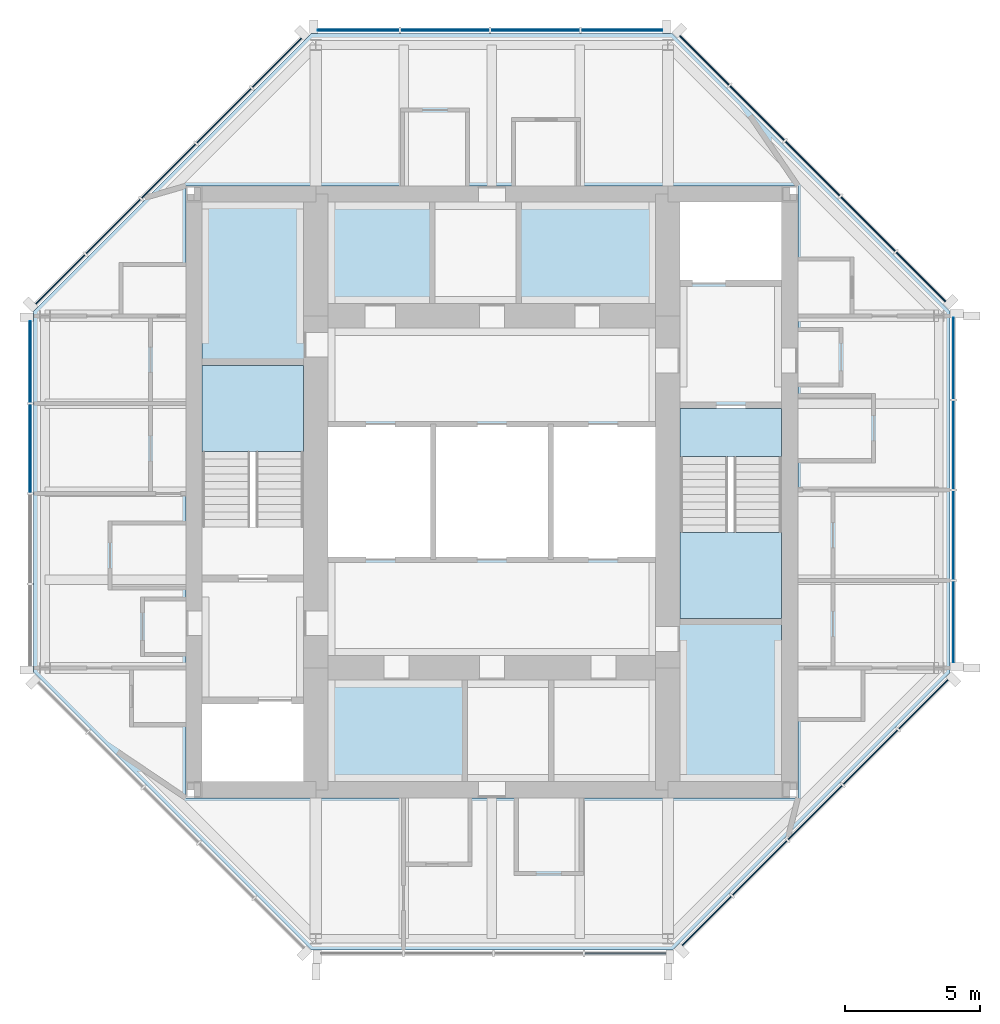
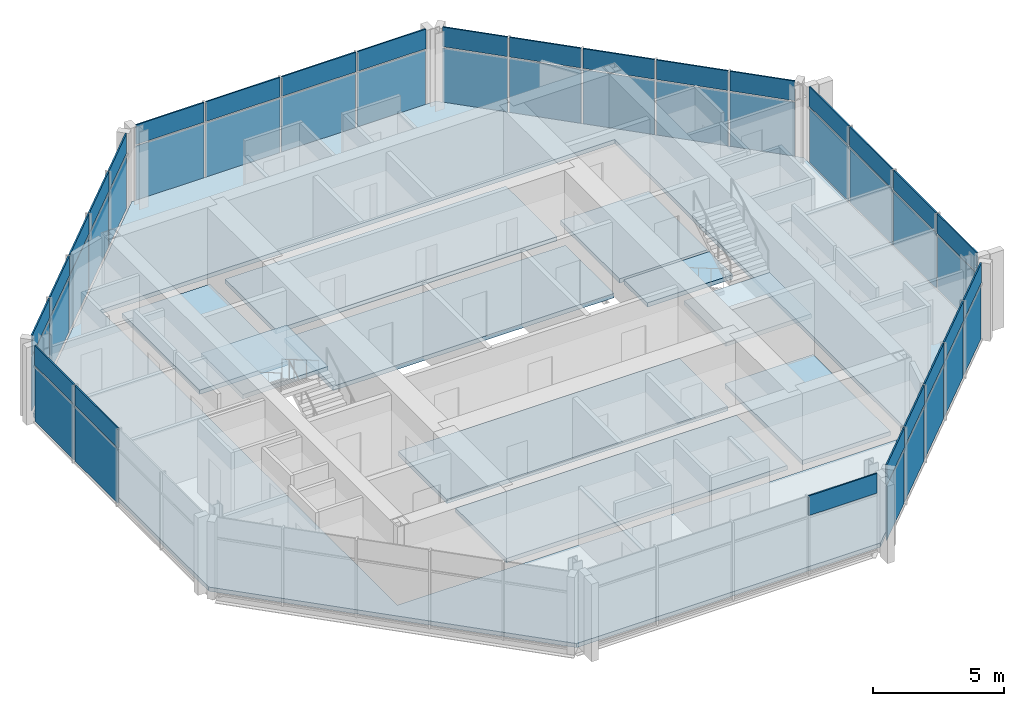
# One storey, part 4 of 9: 51 plates, 11 slabs, 9 elements without a shape of their own.
"""IFC4 building model written with IfcOpenShell, lengths in metres."""

from ifc_helpers import new_model, si_unit, direction, frame, origin, origin_2d, place, context, subcontext, project, spatial, polyline, rectangle, outline, extrude, material, layer, layer_set, type_object, element, aggregate, save


model = new_model("IFC4")

# Units and contexts
model_context = context("Model", 3, precision=1e-05, world=origin(), true_north=direction((0.0, 1.0)))
body_context = subcontext(model_context, "Body", "Model", "MODEL_VIEW")
ifc_project = project(units=[si_unit("LENGTHUNIT", "METRE"), si_unit("AREAUNIT", "SQUARE_METRE"), si_unit("VOLUMEUNIT", "CUBIC_METRE"), si_unit("PLANEANGLEUNIT", "RADIAN"), si_unit("MASSUNIT", "GRAM", prefix="KILO")], contexts=[model_context])

# Site, building, storey
site_placement = place(None, origin())
site = spatial("IfcSite", under=ifc_project, at=site_placement, CompositionType="ELEMENT")
building_placement = place(site_placement, origin())
building = spatial("IfcBuilding", under=site, at=building_placement, Name="Trevanion Tower", CompositionType="ELEMENT")
storey_placement = place(building_placement, frame((0.0, 0.0, 288.39990234375)))
storey = spatial("IfcBuildingStorey", under=building, at=storey_placement, Name="L71", CompositionType="ELEMENT", Elevation=288.39990234375)

# Curtain wall, plates
ifc_material_1 = material(Name="Aluminium and glass", Category="aluminium")
curtain_wall_type = type_object("IfcCurtainWallType", Name="CW4 curtain wall", PredefinedType="USERDEFINED", material=ifc_material_1)
curtain_wall_1_placement = place(storey_placement, origin())
curtain_wall_1 = element("IfcCurtainWall", 1, at=curtain_wall_1_placement, inside=storey, type_object=curtain_wall_type, Name="CW4 L71 0", ObjectType="UNITISED CURTAIN WALL", PredefinedType="USERDEFINED")
ifc_material_2 = material(Name="Aluminium spandrel panel", Category="aluminium")
ifc_layer_1 = layer(ifc_material_2, 0.06005859375)
ifc_layer_set_1 = layer_set([ifc_layer_1], Name="CW4 spandrel panel")
plate_type_1 = type_object("IfcPlateType", Name="CW4 spandrel panel", PredefinedType="CURTAIN_PANEL", material=ifc_layer_set_1)
plate_1_placement = place(storey_placement, frame((17.050048828125, -4.80078125, 2.49755859375), z_axis=(0.0, 0.0, 1.0), x_axis=(0.0, 1.0, 0.0)))
plate_1 = element("IfcPlate", 2, at=plate_1_placement, type_object=plate_type_1, Name="CW4 panel 1.2", PredefinedType="CURTAIN_PANEL", context=body_context, shape_type="SweptSolid", body=[
    extrude(rectangle(XDim=2.993896484375, YDim=0.06005859375, at=origin_2d()), origin(), (0.0, 0.0, 1.0), 0.91259765625),
])
plate_2_placement = place(storey_placement, frame((17.050048828125, -1.6005859375, 2.49755859375), z_axis=(0.0, 0.0, 1.0), x_axis=(0.0, 1.0, 0.0)))
plate_2 = element("IfcPlate", 3, at=plate_2_placement, type_object=plate_type_1, Name="CW4 panel 2.2", PredefinedType="CURTAIN_PANEL", context=body_context, shape_type="SweptSolid", body=[
    extrude(rectangle(XDim=3.25634765625, YDim=0.06005859375, at=origin_2d()), origin(), (0.0, 0.0, 1.0), 0.91259765625),
])
plate_3_placement = place(storey_placement, frame((17.050048828125, 1.730712890625, 2.49755859375), z_axis=(0.0, 0.0, 1.0), x_axis=(0.0, 1.0, 0.0)))
plate_3 = element("IfcPlate", 4, at=plate_3_placement, type_object=plate_type_1, Name="CW4 panel 3.2", PredefinedType="CURTAIN_PANEL", context=body_context, shape_type="SweptSolid", body=[
    extrude(rectangle(XDim=3.25634765625, YDim=0.06005859375, at=origin_2d()), origin(), (0.0, 0.0, 1.0), 0.91259765625),
])
plate_4_placement = place(storey_placement, frame((17.050048828125, 4.930908203125, 2.49755859375), z_axis=(0.0, 0.0, 1.0), x_axis=(0.0, 1.0, 0.0)))
plate_4 = element("IfcPlate", 5, at=plate_4_placement, type_object=plate_type_1, Name="CW4 panel 4.2", PredefinedType="CURTAIN_PANEL", context=body_context, shape_type="SweptSolid", body=[
    extrude(rectangle(XDim=2.993896484375, YDim=0.06005859375, at=origin_2d()), origin(), (0.0, 0.0, 1.0), 0.91259765625),
])

curtain_wall_2_placement = place(storey_placement, origin())
curtain_wall_2 = element("IfcCurtainWall", 6, at=curtain_wall_2_placement, inside=storey, type_object=curtain_wall_type, Name="CW4 L71 1", ObjectType="UNITISED CURTAIN WALL", PredefinedType="USERDEFINED")
plate_5_placement = place(storey_placement, frame((15.84228515625, 7.935546875, 2.49755859375), z_axis=(0.0, 0.0, 1.0), x_axis=(-0.707106781187, 0.707106781187, 0.0)))
plate_5 = element("IfcPlate", 7, at=plate_5_placement, type_object=plate_type_1, Name="CW4 panel 1.2", PredefinedType="CURTAIN_PANEL", context=body_context, shape_type="SweptSolid", body=[
    extrude(rectangle(XDim=2.55615234375, YDim=0.06005859375, at=origin_2d()), origin(), (0.0, 0.0, 1.0), 0.91259765625),
])
plate_6_placement = place(storey_placement, frame((13.888916015625, 9.888916015625, 2.49755859375), z_axis=(0.0, 0.0, 1.0), x_axis=(-0.707106781187, 0.707106781187, 0.0)))
plate_6 = element("IfcPlate", 8, at=plate_6_placement, type_object=plate_type_1, Name="CW4 panel 2.2", PredefinedType="CURTAIN_PANEL", context=body_context, shape_type="SweptSolid", body=[
    extrude(rectangle(XDim=2.818603515625, YDim=0.06005859375, at=origin_2d()), origin(), (0.0, 0.0, 1.0), 0.91259765625),
])
plate_7_placement = place(storey_placement, frame((11.843017578125, 11.934814453125, 2.49755859375), z_axis=(0.0, 0.0, 1.0), x_axis=(-0.707106781187, 0.707106781187, 0.0)))
plate_7 = element("IfcPlate", 9, at=plate_7_placement, type_object=plate_type_1, Name="CW4 panel 3.2", PredefinedType="CURTAIN_PANEL", context=body_context, shape_type="SweptSolid", body=[
    extrude(rectangle(XDim=2.818603515625, YDim=0.06005859375, at=origin_2d()), origin(), (0.0, 0.0, 1.0), 0.91259765625),
])
plate_8_placement = place(storey_placement, frame((9.796875, 13.98095703125, 2.49755859375), z_axis=(0.0, 0.0, 1.0), x_axis=(-0.707106781187, 0.707106781187, 0.0)))
plate_8 = element("IfcPlate", 10, at=plate_8_placement, type_object=plate_type_1, Name="CW4 panel 4.2", PredefinedType="CURTAIN_PANEL", context=body_context, shape_type="SweptSolid", body=[
    extrude(rectangle(XDim=2.818603515625, YDim=0.06005859375, at=origin_2d()), origin(), (0.0, 0.0, 1.0), 0.91259765625),
])
plate_9_placement = place(storey_placement, frame((7.84375, 15.93408203125, 2.49755859375), z_axis=(0.0, 0.0, 1.0), x_axis=(-0.707106781187, 0.707106781187, 0.0)))
plate_9 = element("IfcPlate", 11, at=plate_9_placement, type_object=plate_type_1, Name="CW4 panel 5.2", PredefinedType="CURTAIN_PANEL", context=body_context, shape_type="SweptSolid", body=[
    extrude(rectangle(XDim=2.55615234375, YDim=0.06005859375, at=origin_2d()), origin(), (0.0, 0.0, 1.0), 0.91259765625),
])

curtain_wall_3_placement = place(storey_placement, origin())
curtain_wall_3 = element("IfcCurtainWall", 12, at=curtain_wall_3_placement, inside=storey, type_object=curtain_wall_type, Name="CW4 L71 2", ObjectType="UNITISED CURTAIN WALL", PredefinedType="USERDEFINED")
plate_10_placement = place(storey_placement, frame((4.80078125, 17.050048828125, 2.49755859375), z_axis=(0.0, 0.0, 1.0), x_axis=(-1.0, 0.0, 0.0)))
plate_10 = element("IfcPlate", 13, at=plate_10_placement, type_object=plate_type_1, Name="CW4 panel 1.2", PredefinedType="CURTAIN_PANEL", context=body_context, shape_type="SweptSolid", body=[
    extrude(rectangle(XDim=2.993896484375, YDim=0.06005859375, at=origin_2d()), origin(), (0.0, 0.0, 1.0), 0.91259765625),
])
plate_11_placement = place(storey_placement, frame((1.6005859375, 17.050048828125, 2.49755859375), z_axis=(0.0, 0.0, 1.0), x_axis=(-1.0, 0.0, 0.0)))
plate_11 = element("IfcPlate", 14, at=plate_11_placement, type_object=plate_type_1, Name="CW4 panel 2.2", PredefinedType="CURTAIN_PANEL", context=body_context, shape_type="SweptSolid", body=[
    extrude(rectangle(XDim=3.25634765625, YDim=0.06005859375, at=origin_2d()), origin(), (0.0, 0.0, 1.0), 0.91259765625),
])
plate_12_placement = place(storey_placement, frame((-1.730712890625, 17.050048828125, 2.49755859375), z_axis=(0.0, 0.0, 1.0), x_axis=(-1.0, 0.0, 0.0)))
plate_12 = element("IfcPlate", 15, at=plate_12_placement, type_object=plate_type_1, Name="CW4 panel 3.2", PredefinedType="CURTAIN_PANEL", context=body_context, shape_type="SweptSolid", body=[
    extrude(rectangle(XDim=3.25634765625, YDim=0.06005859375, at=origin_2d()), origin(), (0.0, 0.0, 1.0), 0.91259765625),
])
plate_13_placement = place(storey_placement, frame((-4.930908203125, 17.050048828125, 2.49755859375), z_axis=(0.0, 0.0, 1.0), x_axis=(-1.0, 0.0, 0.0)))
plate_13 = element("IfcPlate", 16, at=plate_13_placement, type_object=plate_type_1, Name="CW4 panel 4.2", PredefinedType="CURTAIN_PANEL", context=body_context, shape_type="SweptSolid", body=[
    extrude(rectangle(XDim=2.993896484375, YDim=0.06005859375, at=origin_2d()), origin(), (0.0, 0.0, 1.0), 0.91259765625),
])

curtain_wall_4_placement = place(storey_placement, origin())
curtain_wall_4 = element("IfcCurtainWall", 17, at=curtain_wall_4_placement, inside=storey, type_object=curtain_wall_type, Name="CW4 L71 3", ObjectType="UNITISED CURTAIN WALL", PredefinedType="USERDEFINED")
plate_14_placement = place(storey_placement, frame((-7.935546875, 15.84228515625, 2.49755859375), z_axis=(0.0, 0.0, 1.0), x_axis=(-0.707106781187, -0.707106781187, 0.0)))
plate_14 = element("IfcPlate", 18, at=plate_14_placement, type_object=plate_type_1, Name="CW4 panel 1.2", PredefinedType="CURTAIN_PANEL", context=body_context, shape_type="SweptSolid", body=[
    extrude(rectangle(XDim=2.55615234375, YDim=0.06005859375, at=origin_2d()), origin(), (0.0, 0.0, 1.0), 0.91259765625),
])
plate_15_placement = place(storey_placement, frame((-9.888916015625, 13.888916015625, 2.49755859375), z_axis=(0.0, 0.0, 1.0), x_axis=(-0.707106781187, -0.707106781187, 0.0)))
plate_15 = element("IfcPlate", 19, at=plate_15_placement, type_object=plate_type_1, Name="CW4 panel 2.2", PredefinedType="CURTAIN_PANEL", context=body_context, shape_type="SweptSolid", body=[
    extrude(rectangle(XDim=2.818603515625, YDim=0.06005859375, at=origin_2d()), origin(), (0.0, 0.0, 1.0), 0.91259765625),
])
plate_16_placement = place(storey_placement, frame((-11.934814453125, 11.843017578125, 2.49755859375), z_axis=(0.0, 0.0, 1.0), x_axis=(-0.707106781187, -0.707106781187, 0.0)))
plate_16 = element("IfcPlate", 20, at=plate_16_placement, type_object=plate_type_1, Name="CW4 panel 3.2", PredefinedType="CURTAIN_PANEL", context=body_context, shape_type="SweptSolid", body=[
    extrude(rectangle(XDim=2.818603515625, YDim=0.06005859375, at=origin_2d()), origin(), (0.0, 0.0, 1.0), 0.91259765625),
])
plate_17_placement = place(storey_placement, frame((-13.98095703125, 9.796875, 2.49755859375), z_axis=(0.0, 0.0, 1.0), x_axis=(-0.707106781187, -0.707106781187, 0.0)))
plate_17 = element("IfcPlate", 21, at=plate_17_placement, type_object=plate_type_1, Name="CW4 panel 4.2", PredefinedType="CURTAIN_PANEL", context=body_context, shape_type="SweptSolid", body=[
    extrude(rectangle(XDim=2.818603515625, YDim=0.06005859375, at=origin_2d()), origin(), (0.0, 0.0, 1.0), 0.91259765625),
])
plate_18_placement = place(storey_placement, frame((-15.93408203125, 7.84375, 2.49755859375), z_axis=(0.0, 0.0, 1.0), x_axis=(-0.707106781187, -0.707106781187, 0.0)))
plate_18 = element("IfcPlate", 22, at=plate_18_placement, type_object=plate_type_1, Name="CW4 panel 5.2", PredefinedType="CURTAIN_PANEL", context=body_context, shape_type="SweptSolid", body=[
    extrude(rectangle(XDim=2.55615234375, YDim=0.06005859375, at=origin_2d()), origin(), (0.0, 0.0, 1.0), 0.91259765625),
])

curtain_wall_5_placement = place(storey_placement, origin())
curtain_wall_5 = element("IfcCurtainWall", 23, at=curtain_wall_5_placement, inside=storey, type_object=curtain_wall_type, Name="CW4 L71 4", ObjectType="UNITISED CURTAIN WALL", PredefinedType="USERDEFINED")
plate_19_placement = place(storey_placement, frame((-17.050048828125, 4.80078125, 2.49755859375), z_axis=(0.0, 0.0, 1.0), x_axis=(0.0, -1.0, 0.0)))
plate_19 = element("IfcPlate", 24, at=plate_19_placement, type_object=plate_type_1, Name="CW4 panel 1.2", PredefinedType="CURTAIN_PANEL", context=body_context, shape_type="SweptSolid", body=[
    extrude(rectangle(XDim=2.993896484375, YDim=0.06005859375, at=origin_2d()), origin(), (0.0, 0.0, 1.0), 0.91259765625),
])
plate_20_placement = place(storey_placement, frame((-17.050048828125, 1.6005859375, 2.49755859375), z_axis=(0.0, 0.0, 1.0), x_axis=(0.0, -1.0, 0.0)))
plate_20 = element("IfcPlate", 25, at=plate_20_placement, type_object=plate_type_1, Name="CW4 panel 2.2", PredefinedType="CURTAIN_PANEL", context=body_context, shape_type="SweptSolid", body=[
    extrude(rectangle(XDim=3.25634765625, YDim=0.06005859375, at=origin_2d()), origin(), (0.0, 0.0, 1.0), 0.91259765625),
])

# Curtain wall, plate
curtain_wall_6_placement = place(storey_placement, origin())
curtain_wall_6 = element("IfcCurtainWall", 26, at=curtain_wall_6_placement, inside=storey, type_object=curtain_wall_type, Name="CW4 L71 6", ObjectType="UNITISED CURTAIN WALL", PredefinedType="USERDEFINED")
plate_21_placement = place(storey_placement, frame((4.930908203125, -17.050048828125, 2.49755859375), z_axis=(0.0, 0.0, 1.0), x_axis=(1.0, 0.0, 0.0)))
plate_21 = element("IfcPlate", 27, at=plate_21_placement, type_object=plate_type_1, Name="CW4 panel 4.2", PredefinedType="CURTAIN_PANEL", context=body_context, shape_type="SweptSolid", body=[
    extrude(rectangle(XDim=2.993896484375, YDim=0.06005859375, at=origin_2d()), origin(), (0.0, 0.0, 1.0), 0.91259765625),
])
aggregate(curtain_wall_6, [plate_21])

# Curtain wall, plates
curtain_wall_7_placement = place(storey_placement, origin())
curtain_wall_7 = element("IfcCurtainWall", 28, at=curtain_wall_7_placement, inside=storey, type_object=curtain_wall_type, Name="CW4 L71 7", ObjectType="UNITISED CURTAIN WALL", PredefinedType="USERDEFINED")
plate_22_placement = place(storey_placement, frame((7.935546875, -15.84228515625, 2.49755859375), z_axis=(0.0, 0.0, 1.0), x_axis=(0.707106781187, 0.707106781187, 0.0)))
plate_22 = element("IfcPlate", 29, at=plate_22_placement, type_object=plate_type_1, Name="CW4 panel 1.2", PredefinedType="CURTAIN_PANEL", context=body_context, shape_type="SweptSolid", body=[
    extrude(rectangle(XDim=2.55615234375, YDim=0.06005859375, at=origin_2d()), origin(), (0.0, 0.0, 1.0), 0.91259765625),
])
plate_23_placement = place(storey_placement, frame((9.888916015625, -13.888916015625, 2.49755859375), z_axis=(0.0, 0.0, 1.0), x_axis=(0.707106781187, 0.707106781187, 0.0)))
plate_23 = element("IfcPlate", 30, at=plate_23_placement, type_object=plate_type_1, Name="CW4 panel 2.2", PredefinedType="CURTAIN_PANEL", context=body_context, shape_type="SweptSolid", body=[
    extrude(rectangle(XDim=2.818603515625, YDim=0.06005859375, at=origin_2d()), origin(), (0.0, 0.0, 1.0), 0.91259765625),
])
plate_24_placement = place(storey_placement, frame((11.934814453125, -11.843017578125, 2.49755859375), z_axis=(0.0, 0.0, 1.0), x_axis=(0.707106781187, 0.707106781187, 0.0)))
plate_24 = element("IfcPlate", 31, at=plate_24_placement, type_object=plate_type_1, Name="CW4 panel 3.2", PredefinedType="CURTAIN_PANEL", context=body_context, shape_type="SweptSolid", body=[
    extrude(rectangle(XDim=2.818603515625, YDim=0.06005859375, at=origin_2d()), origin(), (0.0, 0.0, 1.0), 0.91259765625),
])
plate_25_placement = place(storey_placement, frame((13.98095703125, -9.796875, 2.49755859375), z_axis=(0.0, 0.0, 1.0), x_axis=(0.707106781187, 0.707106781187, 0.0)))
plate_25 = element("IfcPlate", 32, at=plate_25_placement, type_object=plate_type_1, Name="CW4 panel 4.2", PredefinedType="CURTAIN_PANEL", context=body_context, shape_type="SweptSolid", body=[
    extrude(rectangle(XDim=2.818603515625, YDim=0.06005859375, at=origin_2d()), origin(), (0.0, 0.0, 1.0), 0.91259765625),
])
plate_26_placement = place(storey_placement, frame((15.93408203125, -7.84375, 2.49755859375), z_axis=(0.0, 0.0, 1.0), x_axis=(0.707106781187, 0.707106781187, 0.0)))
plate_26 = element("IfcPlate", 33, at=plate_26_placement, type_object=plate_type_1, Name="CW4 panel 5.2", PredefinedType="CURTAIN_PANEL", context=body_context, shape_type="SweptSolid", body=[
    extrude(rectangle(XDim=2.55615234375, YDim=0.06005859375, at=origin_2d()), origin(), (0.0, 0.0, 1.0), 0.91259765625),
])

# Plate
ifc_material_3 = material(Name="Insulating glass unit", Category="glass")
ifc_layer_2 = layer(ifc_material_3, 0.028076171875)
ifc_layer_set_2 = layer_set([ifc_layer_2], Name="CW4 vision panel")
plate_type_2 = type_object("IfcPlateType", Name="CW4 vision panel", PredefinedType="CURTAIN_PANEL", material=ifc_layer_set_2)
plate_27_placement = place(storey_placement, frame((17.050048828125, -4.80078125, -0.114990234375), z_axis=(0.0, 0.0, 1.0), x_axis=(0.0, 1.0, 0.0)))
plate_27 = element("IfcPlate", 34, at=plate_27_placement, type_object=plate_type_2, Name="CW4 panel 1.1", PredefinedType="CURTAIN_PANEL", context=body_context, shape_type="SweptSolid", body=[
    extrude(rectangle(XDim=2.993896484375, YDim=0.028076171875, at=origin_2d()), origin(), (0.0, 0.0, 1.0), 2.53759765625),
])

plate_28_placement = place(storey_placement, frame((17.050048828125, -1.6005859375, -0.114990234375), z_axis=(0.0, 0.0, 1.0), x_axis=(0.0, 1.0, 0.0)))
plate_28 = element("IfcPlate", 35, at=plate_28_placement, type_object=plate_type_2, Name="CW4 panel 2.1", PredefinedType="CURTAIN_PANEL", context=body_context, shape_type="SweptSolid", body=[
    extrude(rectangle(XDim=3.25634765625, YDim=0.028076171875, at=origin_2d()), origin(), (0.0, 0.0, 1.0), 2.53759765625),
])

plate_29_placement = place(storey_placement, frame((17.050048828125, 1.730712890625, -0.114990234375), z_axis=(0.0, 0.0, 1.0), x_axis=(0.0, 1.0, 0.0)))
plate_29 = element("IfcPlate", 36, at=plate_29_placement, type_object=plate_type_2, Name="CW4 panel 3.1", PredefinedType="CURTAIN_PANEL", context=body_context, shape_type="SweptSolid", body=[
    extrude(rectangle(XDim=3.25634765625, YDim=0.028076171875, at=origin_2d()), origin(), (0.0, 0.0, 1.0), 2.53759765625),
])

plate_30_placement = place(storey_placement, frame((17.050048828125, 4.930908203125, -0.114990234375), z_axis=(0.0, 0.0, 1.0), x_axis=(0.0, 1.0, 0.0)))
plate_30 = element("IfcPlate", 37, at=plate_30_placement, type_object=plate_type_2, Name="CW4 panel 4.1", PredefinedType="CURTAIN_PANEL", context=body_context, shape_type="SweptSolid", body=[
    extrude(rectangle(XDim=2.993896484375, YDim=0.028076171875, at=origin_2d()), origin(), (0.0, 0.0, 1.0), 2.53759765625),
])

aggregate(curtain_wall_1, [plate_27, plate_1, plate_28, plate_2, plate_29, plate_3, plate_30, plate_4])

plate_31_placement = place(storey_placement, frame((15.84228515625, 7.935546875, -0.114990234375), z_axis=(0.0, 0.0, 1.0), x_axis=(-0.707106781187, 0.707106781187, 0.0)))
plate_31 = element("IfcPlate", 38, at=plate_31_placement, type_object=plate_type_2, Name="CW4 panel 1.1", PredefinedType="CURTAIN_PANEL", context=body_context, shape_type="SweptSolid", body=[
    extrude(rectangle(XDim=2.55615234375, YDim=0.028076171875, at=origin_2d()), origin(), (0.0, 0.0, 1.0), 2.53759765625),
])

plate_32_placement = place(storey_placement, frame((13.888916015625, 9.888916015625, -0.114990234375), z_axis=(0.0, 0.0, 1.0), x_axis=(-0.707106781187, 0.707106781187, 0.0)))
plate_32 = element("IfcPlate", 39, at=plate_32_placement, type_object=plate_type_2, Name="CW4 panel 2.1", PredefinedType="CURTAIN_PANEL", context=body_context, shape_type="SweptSolid", body=[
    extrude(rectangle(XDim=2.818603515625, YDim=0.028076171875, at=origin_2d()), origin(), (0.0, 0.0, 1.0), 2.53759765625),
])

plate_33_placement = place(storey_placement, frame((11.843017578125, 11.934814453125, -0.114990234375), z_axis=(0.0, 0.0, 1.0), x_axis=(-0.707106781187, 0.707106781187, 0.0)))
plate_33 = element("IfcPlate", 40, at=plate_33_placement, type_object=plate_type_2, Name="CW4 panel 3.1", PredefinedType="CURTAIN_PANEL", context=body_context, shape_type="SweptSolid", body=[
    extrude(rectangle(XDim=2.818603515625, YDim=0.028076171875, at=origin_2d()), origin(), (0.0, 0.0, 1.0), 2.53759765625),
])

plate_34_placement = place(storey_placement, frame((9.796875, 13.98095703125, -0.114990234375), z_axis=(0.0, 0.0, 1.0), x_axis=(-0.707106781187, 0.707106781187, 0.0)))
plate_34 = element("IfcPlate", 41, at=plate_34_placement, type_object=plate_type_2, Name="CW4 panel 4.1", PredefinedType="CURTAIN_PANEL", context=body_context, shape_type="SweptSolid", body=[
    extrude(rectangle(XDim=2.818603515625, YDim=0.028076171875, at=origin_2d()), origin(), (0.0, 0.0, 1.0), 2.53759765625),
])

plate_35_placement = place(storey_placement, frame((7.84375, 15.93408203125, -0.114990234375), z_axis=(0.0, 0.0, 1.0), x_axis=(-0.707106781187, 0.707106781187, 0.0)))
plate_35 = element("IfcPlate", 42, at=plate_35_placement, type_object=plate_type_2, Name="CW4 panel 5.1", PredefinedType="CURTAIN_PANEL", context=body_context, shape_type="SweptSolid", body=[
    extrude(rectangle(XDim=2.55615234375, YDim=0.028076171875, at=origin_2d()), origin(), (0.0, 0.0, 1.0), 2.53759765625),
])

aggregate(curtain_wall_2, [plate_31, plate_5, plate_32, plate_6, plate_33, plate_7, plate_34, plate_8, plate_35, plate_9])

plate_36_placement = place(storey_placement, frame((4.80078125, 17.050048828125, -0.114990234375), z_axis=(0.0, 0.0, 1.0), x_axis=(-1.0, 0.0, 0.0)))
plate_36 = element("IfcPlate", 43, at=plate_36_placement, type_object=plate_type_2, Name="CW4 panel 1.1", PredefinedType="CURTAIN_PANEL", context=body_context, shape_type="SweptSolid", body=[
    extrude(rectangle(XDim=2.993896484375, YDim=0.028076171875, at=origin_2d()), origin(), (0.0, 0.0, 1.0), 2.53759765625),
])

plate_37_placement = place(storey_placement, frame((1.6005859375, 17.050048828125, -0.114990234375), z_axis=(0.0, 0.0, 1.0), x_axis=(-1.0, 0.0, 0.0)))
plate_37 = element("IfcPlate", 44, at=plate_37_placement, type_object=plate_type_2, Name="CW4 panel 2.1", PredefinedType="CURTAIN_PANEL", context=body_context, shape_type="SweptSolid", body=[
    extrude(rectangle(XDim=3.25634765625, YDim=0.028076171875, at=origin_2d()), origin(), (0.0, 0.0, 1.0), 2.53759765625),
])

plate_38_placement = place(storey_placement, frame((-1.730712890625, 17.050048828125, -0.114990234375), z_axis=(0.0, 0.0, 1.0), x_axis=(-1.0, 0.0, 0.0)))
plate_38 = element("IfcPlate", 45, at=plate_38_placement, type_object=plate_type_2, Name="CW4 panel 3.1", PredefinedType="CURTAIN_PANEL", context=body_context, shape_type="SweptSolid", body=[
    extrude(rectangle(XDim=3.25634765625, YDim=0.028076171875, at=origin_2d()), origin(), (0.0, 0.0, 1.0), 2.53759765625),
])

plate_39_placement = place(storey_placement, frame((-4.930908203125, 17.050048828125, -0.114990234375), z_axis=(0.0, 0.0, 1.0), x_axis=(-1.0, 0.0, 0.0)))
plate_39 = element("IfcPlate", 46, at=plate_39_placement, type_object=plate_type_2, Name="CW4 panel 4.1", PredefinedType="CURTAIN_PANEL", context=body_context, shape_type="SweptSolid", body=[
    extrude(rectangle(XDim=2.993896484375, YDim=0.028076171875, at=origin_2d()), origin(), (0.0, 0.0, 1.0), 2.53759765625),
])

aggregate(curtain_wall_3, [plate_36, plate_10, plate_37, plate_11, plate_38, plate_12, plate_39, plate_13])

plate_40_placement = place(storey_placement, frame((-7.935546875, 15.84228515625, -0.114990234375), z_axis=(0.0, 0.0, 1.0), x_axis=(-0.707106781187, -0.707106781187, 0.0)))
plate_40 = element("IfcPlate", 47, at=plate_40_placement, type_object=plate_type_2, Name="CW4 panel 1.1", PredefinedType="CURTAIN_PANEL", context=body_context, shape_type="SweptSolid", body=[
    extrude(rectangle(XDim=2.55615234375, YDim=0.028076171875, at=origin_2d()), origin(), (0.0, 0.0, 1.0), 2.53759765625),
])

plate_41_placement = place(storey_placement, frame((-9.888916015625, 13.888916015625, -0.114990234375), z_axis=(0.0, 0.0, 1.0), x_axis=(-0.707106781187, -0.707106781187, 0.0)))
plate_41 = element("IfcPlate", 48, at=plate_41_placement, type_object=plate_type_2, Name="CW4 panel 2.1", PredefinedType="CURTAIN_PANEL", context=body_context, shape_type="SweptSolid", body=[
    extrude(rectangle(XDim=2.818603515625, YDim=0.028076171875, at=origin_2d()), origin(), (0.0, 0.0, 1.0), 2.53759765625),
])

plate_42_placement = place(storey_placement, frame((-11.934814453125, 11.843017578125, -0.114990234375), z_axis=(0.0, 0.0, 1.0), x_axis=(-0.707106781187, -0.707106781187, 0.0)))
plate_42 = element("IfcPlate", 49, at=plate_42_placement, type_object=plate_type_2, Name="CW4 panel 3.1", PredefinedType="CURTAIN_PANEL", context=body_context, shape_type="SweptSolid", body=[
    extrude(rectangle(XDim=2.818603515625, YDim=0.028076171875, at=origin_2d()), origin(), (0.0, 0.0, 1.0), 2.53759765625),
])

plate_43_placement = place(storey_placement, frame((-13.98095703125, 9.796875, -0.114990234375), z_axis=(0.0, 0.0, 1.0), x_axis=(-0.707106781187, -0.707106781187, 0.0)))
plate_43 = element("IfcPlate", 50, at=plate_43_placement, type_object=plate_type_2, Name="CW4 panel 4.1", PredefinedType="CURTAIN_PANEL", context=body_context, shape_type="SweptSolid", body=[
    extrude(rectangle(XDim=2.818603515625, YDim=0.028076171875, at=origin_2d()), origin(), (0.0, 0.0, 1.0), 2.53759765625),
])

plate_44_placement = place(storey_placement, frame((-15.93408203125, 7.84375, -0.114990234375), z_axis=(0.0, 0.0, 1.0), x_axis=(-0.707106781187, -0.707106781187, 0.0)))
plate_44 = element("IfcPlate", 51, at=plate_44_placement, type_object=plate_type_2, Name="CW4 panel 5.1", PredefinedType="CURTAIN_PANEL", context=body_context, shape_type="SweptSolid", body=[
    extrude(rectangle(XDim=2.55615234375, YDim=0.028076171875, at=origin_2d()), origin(), (0.0, 0.0, 1.0), 2.53759765625),
])

aggregate(curtain_wall_4, [plate_40, plate_14, plate_41, plate_15, plate_42, plate_16, plate_43, plate_17, plate_44, plate_18])

plate_45_placement = place(storey_placement, frame((-17.050048828125, 4.80078125, -0.114990234375), z_axis=(0.0, 0.0, 1.0), x_axis=(0.0, -1.0, 0.0)))
plate_45 = element("IfcPlate", 52, at=plate_45_placement, type_object=plate_type_2, Name="CW4 panel 1.1", PredefinedType="CURTAIN_PANEL", context=body_context, shape_type="SweptSolid", body=[
    extrude(rectangle(XDim=2.993896484375, YDim=0.028076171875, at=origin_2d()), origin(), (0.0, 0.0, 1.0), 2.53759765625),
])

plate_46_placement = place(storey_placement, frame((-17.050048828125, 1.6005859375, -0.114990234375), z_axis=(0.0, 0.0, 1.0), x_axis=(0.0, -1.0, 0.0)))
plate_46 = element("IfcPlate", 53, at=plate_46_placement, type_object=plate_type_2, Name="CW4 panel 2.1", PredefinedType="CURTAIN_PANEL", context=body_context, shape_type="SweptSolid", body=[
    extrude(rectangle(XDim=3.25634765625, YDim=0.028076171875, at=origin_2d()), origin(), (0.0, 0.0, 1.0), 2.53759765625),
])

aggregate(curtain_wall_5, [plate_45, plate_19, plate_46, plate_20])

plate_47_placement = place(storey_placement, frame((7.935546875, -15.84228515625, -0.114990234375), z_axis=(0.0, 0.0, 1.0), x_axis=(0.707106781187, 0.707106781187, 0.0)))
plate_47 = element("IfcPlate", 54, at=plate_47_placement, type_object=plate_type_2, Name="CW4 panel 1.1", PredefinedType="CURTAIN_PANEL", context=body_context, shape_type="SweptSolid", body=[
    extrude(rectangle(XDim=2.55615234375, YDim=0.028076171875, at=origin_2d()), origin(), (0.0, 0.0, 1.0), 2.53759765625),
])

plate_48_placement = place(storey_placement, frame((9.888916015625, -13.888916015625, -0.114990234375), z_axis=(0.0, 0.0, 1.0), x_axis=(0.707106781187, 0.707106781187, 0.0)))
plate_48 = element("IfcPlate", 55, at=plate_48_placement, type_object=plate_type_2, Name="CW4 panel 2.1", PredefinedType="CURTAIN_PANEL", context=body_context, shape_type="SweptSolid", body=[
    extrude(rectangle(XDim=2.818603515625, YDim=0.028076171875, at=origin_2d()), origin(), (0.0, 0.0, 1.0), 2.53759765625),
])

plate_49_placement = place(storey_placement, frame((11.934814453125, -11.843017578125, -0.114990234375), z_axis=(0.0, 0.0, 1.0), x_axis=(0.707106781187, 0.707106781187, 0.0)))
plate_49 = element("IfcPlate", 56, at=plate_49_placement, type_object=plate_type_2, Name="CW4 panel 3.1", PredefinedType="CURTAIN_PANEL", context=body_context, shape_type="SweptSolid", body=[
    extrude(rectangle(XDim=2.818603515625, YDim=0.028076171875, at=origin_2d()), origin(), (0.0, 0.0, 1.0), 2.53759765625),
])

plate_50_placement = place(storey_placement, frame((13.98095703125, -9.796875, -0.114990234375), z_axis=(0.0, 0.0, 1.0), x_axis=(0.707106781187, 0.707106781187, 0.0)))
plate_50 = element("IfcPlate", 57, at=plate_50_placement, type_object=plate_type_2, Name="CW4 panel 4.1", PredefinedType="CURTAIN_PANEL", context=body_context, shape_type="SweptSolid", body=[
    extrude(rectangle(XDim=2.818603515625, YDim=0.028076171875, at=origin_2d()), origin(), (0.0, 0.0, 1.0), 2.53759765625),
])

plate_51_placement = place(storey_placement, frame((15.93408203125, -7.84375, -0.114990234375), z_axis=(0.0, 0.0, 1.0), x_axis=(0.707106781187, 0.707106781187, 0.0)))
plate_51 = element("IfcPlate", 58, at=plate_51_placement, type_object=plate_type_2, Name="CW4 panel 5.1", PredefinedType="CURTAIN_PANEL", context=body_context, shape_type="SweptSolid", body=[
    extrude(rectangle(XDim=2.55615234375, YDim=0.028076171875, at=origin_2d()), origin(), (0.0, 0.0, 1.0), 2.53759765625),
])

aggregate(curtain_wall_7, [plate_47, plate_22, plate_48, plate_23, plate_49, plate_24, plate_50, plate_25, plate_51, plate_26])

# Slabs
ifc_material_4 = material(Name="Concrete 5,000 psi on composite metal deck", Category="concrete")
ifc_layer_3 = layer(ifc_material_4, 0.18994140625)
ifc_layer_set_3 = layer_set([ifc_layer_3], Name="SL1 composite floor 190")
slab_type_1 = type_object("IfcSlabType", Name="SL1 composite floor 190", PredefinedType="FLOOR", material=ifc_layer_set_3)
slab_1_placement = place(storey_placement, frame((0.0, 0.0, -0.18994140625)))
element("IfcSlab", 59, at=slab_1_placement, inside=storey, type_object=slab_type_1, Name="SL1 L71 floor", PredefinedType="FLOOR", context=body_context, shape_type="SweptSolid", body=[
    extrude(outline(polyline([(16.919921875, -6.674072265625), (16.919921875, 6.674072265625), (6.674072265625, 16.919921875), (-6.674072265625, 16.919921875), (-16.919921875, 6.674072265625), (-16.919921875, -6.674072265625), (-6.674072265625, -16.919921875), (6.674072265625, -16.919921875), (16.919921875, -6.674072265625)]), holes=[polyline([(11.300048828125, -11.300048828125), (11.300048828125, 11.300048828125), (-11.300048828125, 11.300048828125), (-11.300048828125, -11.300048828125), (11.300048828125, -11.300048828125)])]), origin(), (0.0, 0.0, 1.0), 0.18994140625),
])
ifc_material_5 = material(Name="Concrete 5,000 psi", Category="concrete")
ifc_layer_4 = layer(ifc_material_5, 0.199951171875)
ifc_layer_set_4 = layer_set([ifc_layer_4], Name="SL2 core floor 200")
slab_type_2 = type_object("IfcSlabType", Name="SL2 core floor 200", PredefinedType="FLOOR", material=ifc_layer_set_4)
slab_2_placement = place(storey_placement, frame((0.0, 0.0, -0.199951171875)))
element("IfcSlab", 60, at=slab_2_placement, inside=storey, type_object=slab_type_2, Name="SL2 L71 core floor 1", PredefinedType="FLOOR", context=body_context, shape_type="SweptSolid", body=[
    extrude(outline(polyline([(6.169921875, -10.699951171875), (-6.169921875, -10.699951171875), (-6.169921875, -6.830078125), (6.169921875, -6.830078125), (6.169921875, -10.699951171875)])), origin(), (0.0, 0.0, 1.0), 0.199951171875),
])
slab_3_placement = place(storey_placement, frame((0.0, 0.0, -0.199951171875)))
element("IfcSlab", 61, at=slab_3_placement, inside=storey, type_object=slab_type_2, Name="SL2 L71 core floor 2", PredefinedType="FLOOR", context=body_context, shape_type="SweptSolid", body=[
    extrude(outline(polyline([(6.830078125, -4.804931640625), (10.699951171875, -4.804931640625), (10.699951171875, -10.699951171875), (6.830078125, -10.699951171875), (6.830078125, -4.804931640625)])), origin(), (0.0, 0.0, 1.0), 0.199951171875),
])
slab_4_placement = place(storey_placement, frame((0.0, 0.0, -0.199951171875)))
element("IfcSlab", 62, at=slab_4_placement, inside=storey, type_object=slab_type_2, Name="SL2 L71 core floor 4", PredefinedType="FLOOR", context=body_context, shape_type="SweptSolid", body=[
    extrude(outline(polyline([(6.169921875, -6.169921875), (-6.169921875, -6.169921875), (-6.169921875, -2.47998046875), (6.169921875, -2.47998046875), (6.169921875, -6.169921875)])), origin(), (0.0, 0.0, 1.0), 0.199951171875),
])
slab_5_placement = place(storey_placement, frame((0.0, 0.0, -0.199951171875)))
element("IfcSlab", 63, at=slab_5_placement, inside=storey, type_object=slab_type_2, Name="SL2 L71 core floor 5", PredefinedType="FLOOR", context=body_context, shape_type="SweptSolid", body=[
    extrude(outline(polyline([(6.169921875, 2.47998046875), (-6.169921875, 2.47998046875), (-6.169921875, 6.169921875), (6.169921875, 6.169921875), (6.169921875, 2.47998046875)])), origin(), (0.0, 0.0, 1.0), 0.199951171875),
])
slab_6_placement = place(storey_placement, frame((0.0, 0.0, -0.199951171875)))
element("IfcSlab", 64, at=slab_6_placement, inside=storey, type_object=slab_type_2, Name="SL2 L71 core floor 6", PredefinedType="FLOOR", context=body_context, shape_type="SweptSolid", body=[
    extrude(outline(polyline([(6.830078125, 3.205078125), (6.830078125, 7.695068359375), (10.699951171875, 7.695068359375), (10.699951171875, 3.205078125), (6.830078125, 3.205078125)])), origin(), (0.0, 0.0, 1.0), 0.199951171875),
])
slab_7_placement = place(storey_placement, frame((0.0, 0.0, -0.199951171875)))
element("IfcSlab", 65, at=slab_7_placement, inside=storey, type_object=slab_type_2, Name="SL2 L71 core floor 7", PredefinedType="FLOOR", context=body_context, shape_type="SweptSolid", body=[
    extrude(outline(polyline([(-6.830078125, 4.804931640625), (-10.699951171875, 4.804931640625), (-10.699951171875, 10.699951171875), (-6.830078125, 10.699951171875), (-6.830078125, 4.804931640625)])), origin(), (0.0, 0.0, 1.0), 0.199951171875),
])
slab_8_placement = place(storey_placement, frame((0.0, 0.0, -0.199951171875)))
element("IfcSlab", 66, at=slab_8_placement, inside=storey, type_object=slab_type_2, Name="SL2 L71 core floor 8", PredefinedType="FLOOR", context=body_context, shape_type="SweptSolid", body=[
    extrude(outline(polyline([(6.169921875, 6.830078125), (-6.169921875, 6.830078125), (-6.169921875, 10.699951171875), (6.169921875, 10.699951171875), (6.169921875, 6.830078125)])), origin(), (0.0, 0.0, 1.0), 0.199951171875),
])

# Stair, slabs
ifc_material_6 = material(Name="Concrete 5,000 psi on steel stringers", Category="concrete")
stair_type = type_object("IfcStairType", Name="ST stair", PredefinedType="HALF_TURN_STAIR", material=ifc_material_6)
stair_1_placement = place(storey_placement, origin())
stair_1 = element("IfcStair", 67, at=stair_1_placement, inside=storey, type_object=stair_type, Name="ST1 L71", PredefinedType="HALF_TURN_STAIR")
ifc_material_7 = material(Name="Concrete 5,000 psi in steel pan", Category="concrete")
ifc_layer_5 = layer(ifc_material_7, 0.199951171875)
ifc_layer_set_5 = layer_set([ifc_layer_5], Name="STL stair landing 200")
slab_type_3 = type_object("IfcSlabType", Name="STL stair landing 200", PredefinedType="LANDING", material=ifc_layer_set_5)
slab_9_placement = place(storey_placement, frame((0.0, 0.0, -0.199951171875)))
slab_9 = element("IfcSlab", 68, at=slab_9_placement, type_object=slab_type_3, Name="ST1 landing 1", PredefinedType="LANDING", context=body_context, shape_type="SweptSolid", body=[
    extrude(outline(polyline([(6.949951171875, 1.300048828125), (10.699951171875, 1.300048828125), (10.699951171875, 3.074951171875), (6.949951171875, 3.074951171875), (6.949951171875, 1.300048828125)])), origin(), (0.0, 0.0, 1.0), 0.199951171875),
])
slab_10_placement = place(storey_placement, frame((0.0, 0.0, 1.60009765625)))
slab_10 = element("IfcSlab", 69, at=slab_10_placement, type_object=slab_type_3, Name="ST1 landing 2", PredefinedType="LANDING", context=body_context, shape_type="SweptSolid", body=[
    extrude(outline(polyline([(6.949951171875, -4.675048828125), (10.699951171875, -4.675048828125), (10.699951171875, -1.5), (6.949951171875, -1.5), (6.949951171875, -4.675048828125)])), origin(), (0.0, 0.0, 1.0), 0.199951171875),
])
aggregate(stair_1, [slab_9, slab_10])

# Stair, slab
stair_2_placement = place(storey_placement, origin())
stair_2 = element("IfcStair", 70, at=stair_2_placement, inside=storey, type_object=stair_type, Name="ST2 L71", PredefinedType="HALF_TURN_STAIR")
slab_11_placement = place(storey_placement, frame((0.0, 0.0, 1.60009765625)))
slab_11 = element("IfcSlab", 71, at=slab_11_placement, type_object=slab_type_3, Name="ST2 landing 2", PredefinedType="LANDING", context=body_context, shape_type="SweptSolid", body=[
    extrude(outline(polyline([(-6.949951171875, 4.675048828125), (-10.699951171875, 4.675048828125), (-10.699951171875, 1.5), (-6.949951171875, 1.5), (-6.949951171875, 4.675048828125)])), origin(), (0.0, 0.0, 1.0), 0.199951171875),
])
aggregate(stair_2, [slab_11])

save(model, "model.ifc")
